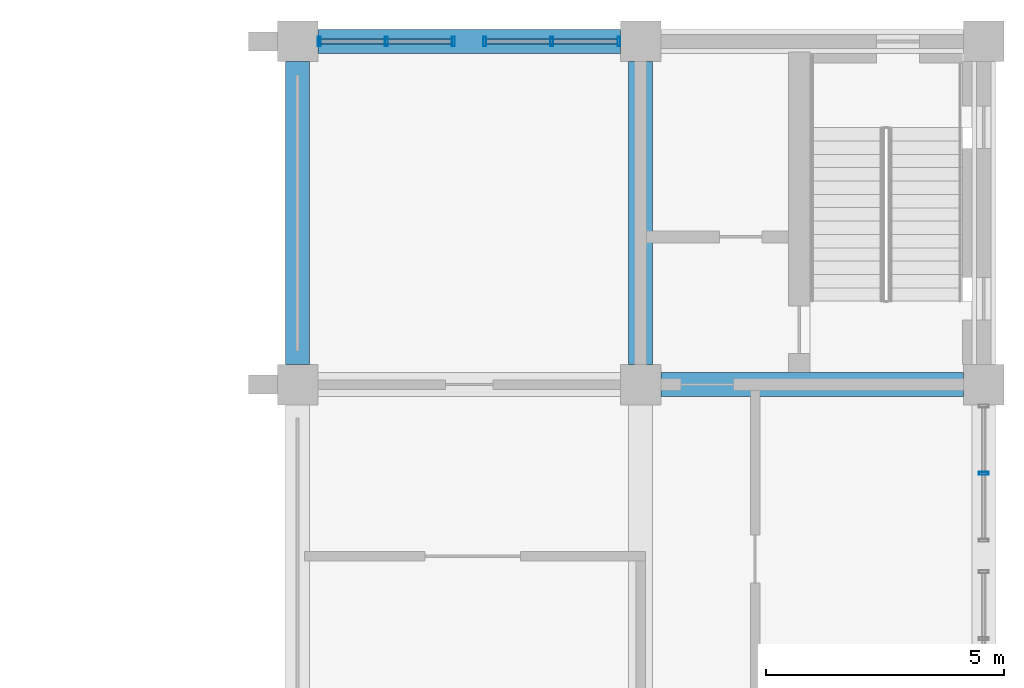
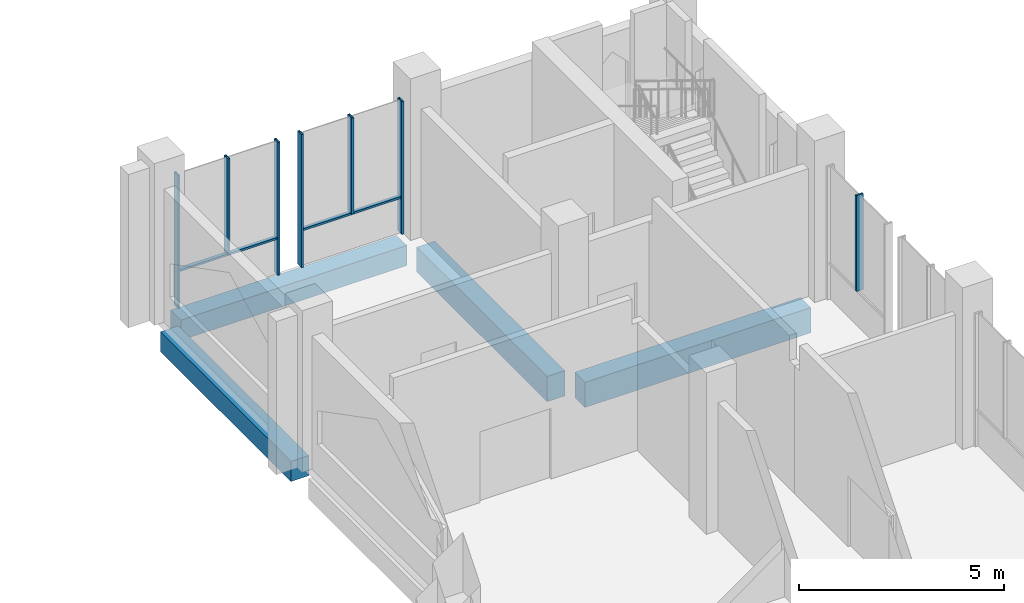
# One storey, part 22 of 40: 9 members, 4 beams, 3 elements without a shape of their own.
"""IFC4 building model written with IfcOpenShell, lengths in metres."""

from ifc_helpers import new_model, si_unit, direction, frame, origin, origin_2d, place, context, subcontext, project, spatial, rectangle, hollow_rectangle, extrude, material, material_profile, profile_set, type_object, element, aggregate, save


model = new_model("IFC4")

# Units and contexts
model_context = context("Model", 3, precision=1e-05, world=origin(), true_north=direction((0.0, 1.0)))
body_context = subcontext(model_context, "Body", "Model", "MODEL_VIEW")
ifc_project = project(units=[si_unit("LENGTHUNIT", "METRE"), si_unit("AREAUNIT", "SQUARE_METRE"), si_unit("VOLUMEUNIT", "CUBIC_METRE"), si_unit("PLANEANGLEUNIT", "RADIAN"), si_unit("MASSUNIT", "GRAM", prefix="KILO")], contexts=[model_context])

# Site, building, storey
site_placement = place(None, origin())
site = spatial("IfcSite", under=ifc_project, at=site_placement, CompositionType="ELEMENT")
building_placement = place(site_placement, origin())
building = spatial("IfcBuilding", under=site, at=building_placement, Name="Silangan Lancet Faculty of Sciences", CompositionType="ELEMENT")
storey_placement = place(building_placement, frame((0.0, 0.0, 16.800048828125)))
storey = spatial("IfcBuildingStorey", under=building, at=storey_placement, Name="L03", CompositionType="ELEMENT", Elevation=16.800048828125)

# Beams
ifc_material_1 = material(Name="Concrete C40/50", Category="concrete")
ifc_material_profile_1 = material_profile(ifc_material_1, rectangle(XDim=0.5, YDim=0.60009765625, at=origin_2d()), Name="RC 500x600")
ifc_profile_set_1 = profile_set([ifc_material_profile_1], Name="Concrete C40/50")
beam_type_1 = type_object("IfcBeamType", Name="BEAM RC 500x600", PredefinedType="BEAM", material=ifc_profile_set_1)
beam_1_placement = place(storey_placement, frame((72.425048828125, 57.60009765625, -0.550048828125), z_axis=(1.0, 0.0, 0.0), x_axis=(0.0, 1.0, 0.0)))
element("IfcBeam", 1, at=beam_1_placement, inside=storey, type_object=beam_type_1, Name="BM-L03-11I-12I", PredefinedType="BEAM", context=body_context, shape_type="SweptSolid", body=[
    extrude(rectangle(XDim=0.5, YDim=0.60009765625, at=origin_2d()), origin(), (0.0, 0.0, 1.0), 6.349853515625),
])
beam_2_placement = place(storey_placement, frame((72.0, 50.824951171875, -0.550048828125), z_axis=(0.0, 1.0, 0.0), x_axis=(-1.0, 0.0, 0.0)))
element("IfcBeam", 2, at=beam_2_placement, inside=storey, type_object=beam_type_1, Name="BM-L03-11H-11I", PredefinedType="BEAM", context=body_context, shape_type="SweptSolid", body=[
    extrude(rectangle(XDim=0.5, YDim=0.60009765625, at=origin_2d()), origin(), (0.0, 0.0, 1.0), 6.35009765625),
])
ifc_material_2 = material(Name="Concrete C40/50", Category="concrete")
ifc_material_profile_2 = material_profile(ifc_material_2, rectangle(XDim=0.5, YDim=0.75, at=origin_2d()), Name="RC 500x750")
ifc_profile_set_2 = profile_set([ifc_material_profile_2], Name="Concrete C40/50")
beam_type_2 = type_object("IfcBeamType", Name="BEAM RC 500x750", PredefinedType="BEAM", material=ifc_profile_set_2)
for number, where, z_axis, x_axis, name in (
    (3, (79.625, 50.39990234375, -0.625), (1.0, 0.0, 0.0), (0.0, 1.0, 0.0), "BM-L03-12H-13H"),
    (4, (79.199951171875, 50.824951171875, -0.625), (0.0, 1.0, 0.0), (-1.0, 0.0, 0.0), "BM-L03-12H-12I"),
):
    element("IfcBeam", number, at=place(storey_placement, frame(where, z_axis=z_axis, x_axis=x_axis)), inside=storey, type_object=beam_type_2, Name=name, PredefinedType="BEAM", context=body_context, shape_type="SweptSolid", body=[
        extrude(rectangle(XDim=0.5, YDim=0.75, at=origin_2d()), origin(), (0.0, 0.0, 1.0), 6.35009765625),
    ])

# Curtain wall, member
ifc_material_3 = material(Name="Aluminium framed curtain wall with insulated glass", Category="aluminium")
curtain_wall_type = type_object("IfcCurtainWallType", Name="CW1 Commons and east block glazing", PredefinedType="NOTDEFINED", material=ifc_material_3)
curtain_wall_1_placement = place(storey_placement, origin())
curtain_wall_1 = element("IfcCurtainWall", 5, at=curtain_wall_1_placement, inside=storey, type_object=curtain_wall_type, Name="CW1 East commons L03 bay 12", PredefinedType="NOTDEFINED")
ifc_material_4 = material(Name="Aluminium 6063-T6 extrusion", Category="aluminium")
ifc_material_profile_3 = material_profile(ifc_material_4, hollow_rectangle(XDim=0.06005859375, YDim=0.199951171875, WallThickness=0.00390625, at=origin_2d()), Name="AL BOX 60x200x4")
ifc_profile_set_3 = profile_set([ifc_material_profile_3], Name="Aluminium 6063-T6 extrusion")
member_type_1 = type_object("IfcMemberType", Name="CM1 Mullion 60x200", PredefinedType="MULLION", material=ifc_profile_set_3)
member_1_placement = place(storey_placement, frame((86.39990234375, 48.53759765625, 1.099853515625), z_axis=(0.0, 0.0, 1.0), x_axis=(0.0, 1.0, 0.0)))
member_1 = element("IfcMember", 6, at=member_1_placement, type_object=member_type_1, Name="CW1 East commons L03 bay 12 mullion 3", PredefinedType="MULLION", context=body_context, shape_type="SweptSolid", body=[
    extrude(hollow_rectangle(XDim=0.06005859375, YDim=0.199951171875, WallThickness=0.00390625, at=origin_2d()), origin(), (0.0, 0.0, 1.0), 2.85009765625),
])
aggregate(curtain_wall_1, [member_1])

# Curtain wall, members
curtain_wall_2_placement = place(storey_placement, origin())
curtain_wall_2 = element("IfcCurtainWall", 7, at=curtain_wall_2_placement, inside=storey, type_object=curtain_wall_type, Name="CW1 East block north L03 bay 1", PredefinedType="NOTDEFINED")
member_2_placement = place(storey_placement, frame((78.7451171875, 57.60009765625, 0.0), z_axis=(0.0, 0.0, 1.0), x_axis=(-1.0, 0.0, 0.0)))
member_2 = element("IfcMember", 8, at=member_2_placement, type_object=member_type_1, Name="CW1 East block north L03 bay 1 mullion 1", PredefinedType="MULLION", context=body_context, shape_type="SweptSolid", body=[
    extrude(hollow_rectangle(XDim=0.06005859375, YDim=0.199951171875, WallThickness=0.00390625, at=origin_2d()), origin(), (0.0, 0.0, 1.0), 3.949951171875),
])
member_3_placement = place(storey_placement, frame((75.93017578125, 57.60009765625, 0.0), z_axis=(0.0, 0.0, 1.0), x_axis=(-1.0, 0.0, 0.0)))
member_3 = element("IfcMember", 9, at=member_3_placement, type_object=member_type_1, Name="CW1 East block north L03 bay 1 mullion 2", PredefinedType="MULLION", context=body_context, shape_type="SweptSolid", body=[
    extrude(hollow_rectangle(XDim=0.06005859375, YDim=0.199951171875, WallThickness=0.00390625, at=origin_2d()), origin(), (0.0, 0.0, 1.0), 3.949951171875),
])
member_4_placement = place(storey_placement, frame((77.337646484375, 57.60009765625, 1.099853515625), z_axis=(0.0, 0.0, 1.0), x_axis=(-1.0, 0.0, 0.0)))
member_4 = element("IfcMember", 10, at=member_4_placement, type_object=member_type_1, Name="CW1 East block north L03 bay 1 mullion 3", PredefinedType="MULLION", context=body_context, shape_type="SweptSolid", body=[
    extrude(hollow_rectangle(XDim=0.06005859375, YDim=0.199951171875, WallThickness=0.00390625, at=origin_2d()), origin(), (0.0, 0.0, 1.0), 2.85009765625),
])

curtain_wall_3_placement = place(storey_placement, origin())
curtain_wall_3 = element("IfcCurtainWall", 11, at=curtain_wall_3_placement, inside=storey, type_object=curtain_wall_type, Name="CW1 East block north L03 bay 2", PredefinedType="NOTDEFINED")
member_5_placement = place(storey_placement, frame((75.27001953125, 57.60009765625, 0.0), z_axis=(0.0, 0.0, 1.0), x_axis=(-1.0, 0.0, 0.0)))
member_5 = element("IfcMember", 12, at=member_5_placement, type_object=member_type_1, Name="CW1 East block north L03 bay 2 mullion 1", PredefinedType="MULLION", context=body_context, shape_type="SweptSolid", body=[
    extrude(hollow_rectangle(XDim=0.06005859375, YDim=0.199951171875, WallThickness=0.00390625, at=origin_2d()), origin(), (0.0, 0.0, 1.0), 3.949951171875),
])
member_6_placement = place(storey_placement, frame((72.455078125, 57.60009765625, 0.0), z_axis=(0.0, 0.0, 1.0), x_axis=(-1.0, 0.0, 0.0)))
member_6 = element("IfcMember", 13, at=member_6_placement, type_object=member_type_1, Name="CW1 East block north L03 bay 2 mullion 2", PredefinedType="MULLION", context=body_context, shape_type="SweptSolid", body=[
    extrude(hollow_rectangle(XDim=0.06005859375, YDim=0.199951171875, WallThickness=0.00390625, at=origin_2d()), origin(), (0.0, 0.0, 1.0), 3.949951171875),
])
member_7_placement = place(storey_placement, frame((73.862548828125, 57.60009765625, 1.099853515625), z_axis=(0.0, 0.0, 1.0), x_axis=(-1.0, 0.0, 0.0)))
member_7 = element("IfcMember", 14, at=member_7_placement, type_object=member_type_1, Name="CW1 East block north L03 bay 2 mullion 3", PredefinedType="MULLION", context=body_context, shape_type="SweptSolid", body=[
    extrude(hollow_rectangle(XDim=0.06005859375, YDim=0.199951171875, WallThickness=0.00390625, at=origin_2d()), origin(), (0.0, 0.0, 1.0), 2.85009765625),
])

# Member
ifc_material_5 = material(Name="Aluminium 6063-T6 extrusion", Category="aluminium")
ifc_material_profile_4 = material_profile(ifc_material_5, hollow_rectangle(XDim=0.10009765625, YDim=0.06005859375, WallThickness=0.0029296875, at=origin_2d()), Name="AL BOX 100x60x3")
ifc_profile_set_4 = profile_set([ifc_material_profile_4], Name="Aluminium 6063-T6 extrusion")
member_type_2 = type_object("IfcMemberType", Name="CT1 Transom 100x60", PredefinedType="USERDEFINED", material=ifc_profile_set_4)
member_8_placement = place(storey_placement, frame((78.715087890625, 57.60009765625, 1.070068359375), z_axis=(-1.0, 0.0, 0.0), x_axis=(0.0, -1.0, 0.0)))
member_8 = element("IfcMember", 15, at=member_8_placement, type_object=member_type_2, Name="CW1 East block north L03 bay 1 transom 1", ObjectType="TRANSOM", PredefinedType="USERDEFINED", context=body_context, shape_type="SweptSolid", body=[
    extrude(hollow_rectangle(XDim=0.10009765625, YDim=0.06005859375, WallThickness=0.0029296875, at=origin_2d()), origin(), (0.0, 0.0, 1.0), 2.7548828125),
])

aggregate(curtain_wall_2, [member_2, member_3, member_4, member_8])

member_9_placement = place(storey_placement, frame((75.239990234375, 57.60009765625, 1.070068359375), z_axis=(-1.0, 0.0, 0.0), x_axis=(0.0, -1.0, 0.0)))
member_9 = element("IfcMember", 16, at=member_9_placement, type_object=member_type_2, Name="CW1 East block north L03 bay 2 transom 1", ObjectType="TRANSOM", PredefinedType="USERDEFINED", context=body_context, shape_type="SweptSolid", body=[
    extrude(hollow_rectangle(XDim=0.10009765625, YDim=0.06005859375, WallThickness=0.0029296875, at=origin_2d()), origin(), (0.0, 0.0, 1.0), 2.7548828125),
])

aggregate(curtain_wall_3, [member_5, member_6, member_7, member_9])

save(model, "model.ifc")
